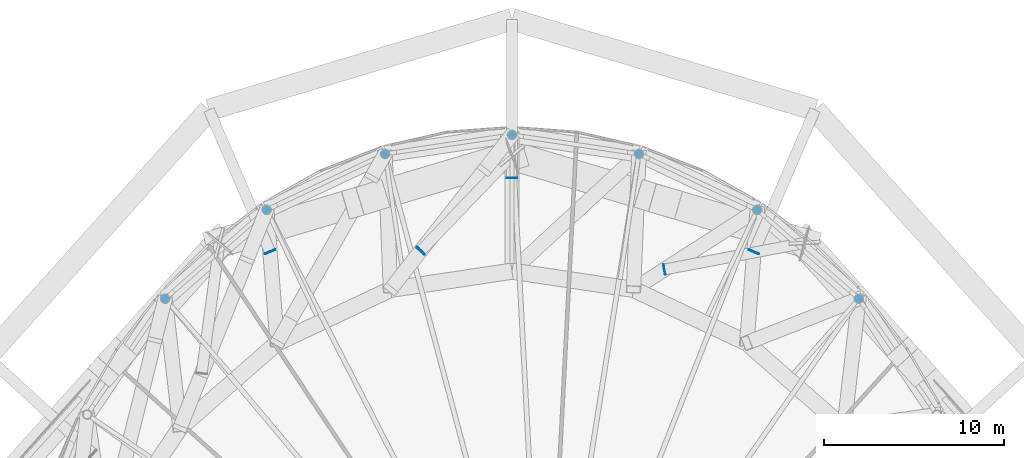
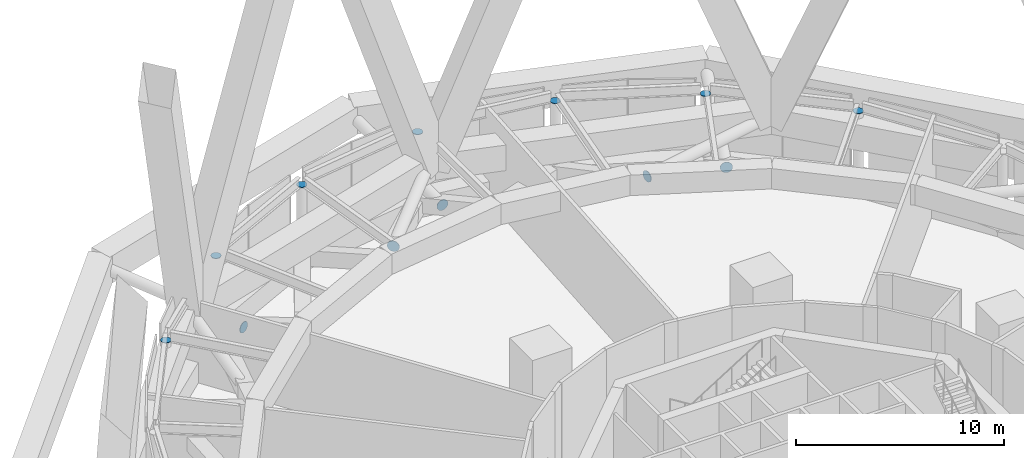
# One storey, part 62 of 65: 12 discrete accessories.
"""IFC4 building model written with IfcOpenShell, lengths in metres."""

from ifc_helpers import new_model, si_unit, direction, frame, origin, origin_2d, place, context, subcontext, project, spatial, circle, extrude, material, layer, layer_set, type_object, element, save


model = new_model("IFC4")

# Units and contexts
model_context = context("Model", 3, precision=1e-05, world=origin(), true_north=direction((0.0, 1.0)))
body_context = subcontext(model_context, "Body", "Model", "MODEL_VIEW")
ifc_project = project(units=[si_unit("LENGTHUNIT", "METRE"), si_unit("AREAUNIT", "SQUARE_METRE"), si_unit("VOLUMEUNIT", "CUBIC_METRE"), si_unit("PLANEANGLEUNIT", "RADIAN"), si_unit("MASSUNIT", "GRAM", prefix="KILO")], contexts=[model_context])

# Site, building, storey
site_placement = place(None, origin())
site = spatial("IfcSite", under=ifc_project, at=site_placement, CompositionType="ELEMENT")
building_placement = place(site_placement, origin())
building = spatial("IfcBuilding", under=site, at=building_placement, Name="Nagisa Residences", CompositionType="ELEMENT")
storey_placement = place(building_placement, frame((0.0, 0.0, 114.0)))
storey = spatial("IfcBuildingStorey", under=building, at=storey_placement, Name="L28", CompositionType="ELEMENT", Elevation=114.0)

# Discrete accessories
ifc_material_1 = material(Name="Steel ASTM A572 Gr 50", Category="steel")
ifc_layer_1 = layer(ifc_material_1, 0.030029296875)
ifc_layer_set_1 = layer_set([ifc_layer_1], Name="End plate")
discrete_accessory_type_1 = type_object("IfcDiscreteAccessoryType", Name="End plate", PredefinedType="ANCHORPLATE", material=ifc_layer_set_1)
for number, where, z_axis, x_axis, name in (
    (1, (17.4296875, 25.048583984375, 4.737060546875), (0.0, 0.0, 1.0), (1.0, 0.0, 0.0), "End plate GP204"),
    (2, (11.797607421875, 29.9775390625, 4.737060546875), (0.0, 0.0, 1.0), (1.0, 0.0, 0.0), "End plate GP205"),
    (3, (5.238525390625, 33.075927734375, 4.737060546875), (0.0, 0.0, 1.0), (1.0, 0.0, 0.0), "End plate GP206"),
    (4, (-1.800048828125, 34.1328125, 4.737060546875), (0.0, 0.0, 1.0), (1.0, 0.0, 0.0), "End plate GP207"),
    (5, (-8.838623046875, 33.075927734375, 4.737060546875), (0.0, 0.0, 1.0), (1.0, 0.0, 0.0), "End plate GP208"),
    (6, (-15.3974609375, 29.9775390625, 4.737060546875), (0.0, 0.0, 1.0), (1.0, 0.0, 0.0), "End plate GP209"),
    (7, (-21.02978515625, 25.048583984375, 4.737060546875), (0.0, 0.0, 1.0), (1.0, 0.0, 0.0), "End plate GP210"),
):
    element("IfcDiscreteAccessory", number, at=place(storey_placement, frame(where, z_axis=z_axis, x_axis=x_axis)), inside=storey, type_object=discrete_accessory_type_1, Name=name, PredefinedType="ANCHORPLATE", context=body_context, shape_type="SweptSolid", body=[
        extrude(circle(Radius=0.25390625, at=origin_2d()), origin(), (0.0, 0.0, 1.0), 0.030029296875),
    ])
ifc_material_2 = material(Name="Steel ASTM A572 Gr 50", Category="steel")
ifc_layer_2 = layer(ifc_material_2, 0.030029296875)
ifc_layer_set_2 = layer_set([ifc_layer_2], Name="Node plate")
discrete_accessory_type_2 = type_object("IfcDiscreteAccessoryType", Name="Node plate", PredefinedType="ANCHORPLATE", material=ifc_layer_set_2)
for number, where, z_axis, x_axis, name in (
    (8, (11.615478515625, 27.66064453125, 1.89990234375), (-0.397835276281, -0.917456861627, 0.0), (0.917456861627, -0.397835276281, 0.0), "Node plate ST2A03"),
    (9, (-1.800048828125, 31.76025390625, 1.89990234375), (0.0, -1.0, 0.0), (1.0, 0.0, 0.0), "Node plate ST2A04"),
    (10, (-15.21533203125, 27.66064453125, 1.89990234375), (0.39096815767, -0.920404204515, 0.0), (0.920404204515, 0.39096815767, 0.0), "Node plate ST2A05"),
    (11, (6.661376953125, 26.673828125, 3.699951171875), (-0.982409559795, -0.186739007234, 0.0), (0.186739007234, -0.982409559795, 0.0), "Node plate ST3B03"),
):
    element("IfcDiscreteAccessory", number, at=place(storey_placement, frame(where, z_axis=z_axis, x_axis=x_axis)), inside=storey, type_object=discrete_accessory_type_2, Name=name, PredefinedType="ANCHORPLATE", context=body_context, shape_type="SweptSolid", body=[
        extrude(circle(Radius=0.304931640625, at=origin_2d()), origin(), (0.0, 0.0, 1.0), 0.030029296875),
    ])
discrete_accessory_placement = place(storey_placement, frame((-6.845703125, 27.717529296875, 3.699951171875), z_axis=(-0.694740363462, -0.719260611584, 0.0), x_axis=(0.719260611584, -0.694740363462, 0.0)))
element("IfcDiscreteAccessory", 12, at=discrete_accessory_placement, inside=storey, type_object=discrete_accessory_type_2, Name="Node plate ST3B04", PredefinedType="ANCHORPLATE", context=body_context, shape_type="SweptSolid", body=[
    extrude(circle(Radius=0.304931640625, at=origin_2d()), origin(), (0.0, 0.0, 1.0), 0.02978515625),
])

save(model, "model.ifc")
